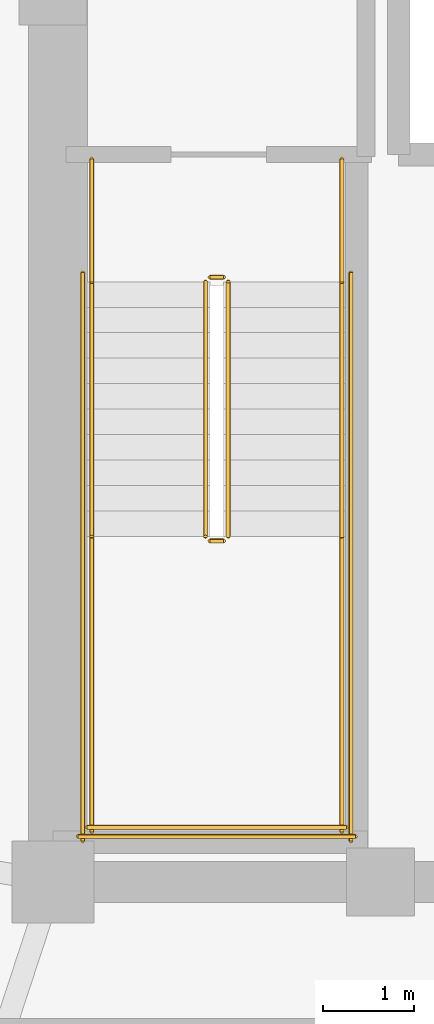
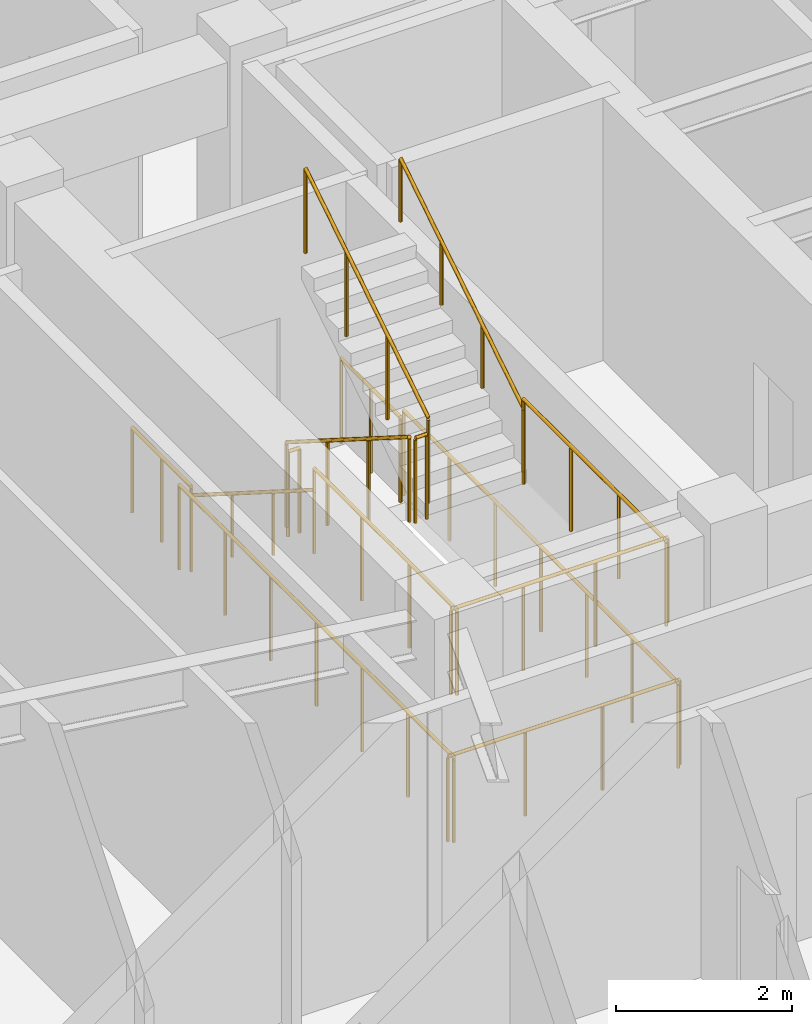
# One storey, part 10 of 11: 14 railings.
"""IFC4 building model written with IfcOpenShell, lengths in metres."""

from ifc_helpers import new_model, si_unit, direction, frame, origin, origin_2d, place, context, subcontext, project, spatial, circle, extrude, material, type_object, element, save


model = new_model("IFC4")

# Units and contexts
model_context = context("Model", 3, precision=1e-05, world=origin(), true_north=direction((0.0, 1.0)))
body_context = subcontext(model_context, "Body", "Model", "MODEL_VIEW")
ifc_project = project(units=[si_unit("LENGTHUNIT", "METRE"), si_unit("AREAUNIT", "SQUARE_METRE"), si_unit("VOLUMEUNIT", "CUBIC_METRE"), si_unit("PLANEANGLEUNIT", "RADIAN"), si_unit("MASSUNIT", "GRAM", prefix="KILO")], contexts=[model_context])

# Site, building, storey
site_placement = place(None, origin())
site = spatial("IfcSite", under=ifc_project, at=site_placement, CompositionType="ELEMENT")
building_placement = place(site_placement, origin())
building = spatial("IfcBuilding", under=site, at=building_placement, Name="Voryun Gate Residences", CompositionType="ELEMENT")
storey_placement = place(building_placement, frame((0.0, 0.0, 247.0)))
storey = spatial("IfcBuildingStorey", under=building, at=storey_placement, Name="L61", CompositionType="ELEMENT", Elevation=247.0)

# Railings
ifc_material_1 = material(Name="Painted steel", Category="steel")
railing_type_1 = type_object("IfcRailingType", Name="RAIL_STAIR_GUARD_1200", PredefinedType="GUARDRAIL", material=ifc_material_1)
railing_1_placement = place(storey_placement, frame((-17.52490234375, -0.800048828125, 0.17724609375)))
element("IfcRailing", 1, at=railing_1_placement, inside=storey, type_object=railing_type_1, Name="L61 ST-W1 stair guard 1", PredefinedType="GUARDRAIL", context=body_context, shape_type="SweptSolid", body=[
    extrude(circle(Radius=0.02392578125, at=origin_2d()), frame((0.0, 0.0, 1.17578125), z_axis=(0.0, -0.844908973607, 0.534910110503), x_axis=(1.0, 0.0, 0.0)), (0.0, 0.0, 1.0), 3.31396484375),
    extrude(circle(Radius=0.02099609375, at=origin_2d()), origin(), (0.0, 0.0, 1.0), 1.15185546875),
    extrude(circle(Radius=0.02099609375, at=origin_2d()), frame((0.0, -0.933349609375, 0.5908203125)), (0.0, 0.0, 1.0), 1.15185546875),
    extrude(circle(Radius=0.02099609375, at=origin_2d()), frame((0.0, -1.86669921875, 1.181884765625)), (0.0, 0.0, 1.0), 1.15185546875),
    extrude(circle(Radius=0.02099609375, at=origin_2d()), frame((0.0, -2.800048828125, 1.772705078125)), (0.0, 0.0, 1.0), 1.15185546875),
])
railing_2_placement = place(storey_placement, frame((-17.47509765625, -3.64990234375, 1.949951171875)))
element("IfcRailing", 2, at=railing_2_placement, inside=storey, type_object=railing_type_1, Name="L61 ST-W1 stair guard 2", PredefinedType="GUARDRAIL", context=body_context, shape_type="SweptSolid", body=[
    extrude(circle(Radius=0.02392578125, at=origin_2d()), frame((0.0, 0.0, 1.17578125), z_axis=(1.0, 0.0, 0.0), x_axis=(0.0, 1.0, 0.0)), (0.0, 0.0, 1.0), 0.150146484375),
    extrude(circle(Radius=0.02099609375, at=origin_2d()), origin(), (0.0, 0.0, 1.0), 1.15185546875),
    extrude(circle(Radius=0.02099609375, at=origin_2d()), frame((0.150146484375, 0.0, 0.0)), (0.0, 0.0, 1.0), 1.15185546875),
])
for number, where, name in (
    (3, (-18.77490234375, -3.60009765625, 1.949951171875), "L61 ST-W1 stair guard 3"),
    (4, (-16.02490234375, -3.60009765625, 1.949951171875), "L61 ST-W1 stair guard 4"),
):
    element("IfcRailing", number, at=place(storey_placement, frame(where)), inside=storey, type_object=railing_type_1, Name=name, PredefinedType="GUARDRAIL", context=body_context, shape_type="SweptSolid", body=[
        extrude(circle(Radius=0.02392578125, at=origin_2d()), frame((0.0, 0.0, 1.17578125), z_axis=(0.0, -1.0, 0.0), x_axis=(1.0, 0.0, 0.0)), (0.0, 0.0, 1.0), 3.25),
        extrude(circle(Radius=0.02099609375, at=origin_2d()), origin(), (0.0, 0.0, 1.0), 1.15185546875),
        extrude(circle(Radius=0.02099609375, at=origin_2d()), frame((0.0, -1.083251953125, 0.0)), (0.0, 0.0, 1.0), 1.15185546875),
        extrude(circle(Radius=0.02099609375, at=origin_2d()), frame((0.0, -2.166748046875, 0.0)), (0.0, 0.0, 1.0), 1.15185546875),
        extrude(circle(Radius=0.02099609375, at=origin_2d()), frame((0.0, -3.25, 0.0)), (0.0, 0.0, 1.0), 1.15185546875),
    ])
railing_3_placement = place(storey_placement, frame((-18.824951171875, -6.800048828125, 1.949951171875)))
element("IfcRailing", 5, at=railing_3_placement, inside=storey, type_object=railing_type_1, Name="L61 ST-W1 stair guard 5", PredefinedType="GUARDRAIL", context=body_context, shape_type="SweptSolid", body=[
    extrude(circle(Radius=0.02392578125, at=origin_2d()), frame((0.0, 0.0, 1.17578125), z_axis=(1.0, 0.0, 0.0), x_axis=(0.0, 1.0, 0.0)), (0.0, 0.0, 1.0), 2.849853515625),
    extrude(circle(Radius=0.02099609375, at=origin_2d()), origin(), (0.0, 0.0, 1.0), 1.15185546875),
    extrude(circle(Radius=0.02099609375, at=origin_2d()), frame((0.949951171875, 0.0, 0.0)), (0.0, 0.0, 1.0), 1.15185546875),
    extrude(circle(Radius=0.02099609375, at=origin_2d()), frame((1.89990234375, 0.0, 0.0)), (0.0, 0.0, 1.0), 1.15185546875),
    extrude(circle(Radius=0.02099609375, at=origin_2d()), frame((2.849853515625, 0.0, 0.0)), (0.0, 0.0, 1.0), 1.15185546875),
])
railing_4_placement = place(storey_placement, frame((-17.27490234375, -3.60009765625, 2.127197265625)))
element("IfcRailing", 6, at=railing_4_placement, inside=storey, type_object=railing_type_1, Name="L61 ST-W1 stair guard 6", PredefinedType="GUARDRAIL", context=body_context, shape_type="SweptSolid", body=[
    extrude(circle(Radius=0.02392578125, at=origin_2d()), frame((0.0, 0.0, 1.17578125), z_axis=(0.0, 0.844908973607, 0.534910110503), x_axis=(-1.0, 0.0, 0.0)), (0.0, 0.0, 1.0), 3.31396484375),
    extrude(circle(Radius=0.02099609375, at=origin_2d()), origin(), (0.0, 0.0, 1.0), 1.15185546875),
    extrude(circle(Radius=0.02099609375, at=origin_2d()), frame((0.0, 0.933349609375, 0.5908203125)), (0.0, 0.0, 1.0), 1.15185546875),
    extrude(circle(Radius=0.02099609375, at=origin_2d()), frame((0.0, 1.86669921875, 1.181884765625)), (0.0, 0.0, 1.0), 1.15185546875),
    extrude(circle(Radius=0.02099609375, at=origin_2d()), frame((0.0, 2.800048828125, 1.772705078125)), (0.0, 0.0, 1.0), 1.15185546875),
])
railing_5_placement = place(storey_placement, frame((-17.47509765625, -0.75, 0.0)))
element("IfcRailing", 7, at=railing_5_placement, inside=storey, type_object=railing_type_1, Name="L61 ST-W1 stair guard 7", PredefinedType="GUARDRAIL", context=body_context, shape_type="SweptSolid", body=[
    extrude(circle(Radius=0.02392578125, at=origin_2d()), frame((0.0, 0.0, 1.17578125), z_axis=(1.0, 0.0, 0.0), x_axis=(0.0, 1.0, 0.0)), (0.0, 0.0, 1.0), 0.150146484375),
    extrude(circle(Radius=0.02099609375, at=origin_2d()), origin(), (0.0, 0.0, 1.0), 1.15185546875),
    extrude(circle(Radius=0.02099609375, at=origin_2d()), frame((0.150146484375, 0.0, 0.0)), (0.0, 0.0, 1.0), 1.15185546875),
])
for number, where, name in (
    (8, (-18.77490234375, 0.550048828125, 0.0), "L61 ST-W1 stair guard 8"),
    (9, (-16.02490234375, 0.550048828125, 0.0), "L61 ST-W1 stair guard 9"),
):
    element("IfcRailing", number, at=place(storey_placement, frame(where)), inside=storey, type_object=railing_type_1, Name=name, PredefinedType="GUARDRAIL", context=body_context, shape_type="SweptSolid", body=[
        extrude(circle(Radius=0.02392578125, at=origin_2d()), frame((0.0, 0.0, 1.17578125), z_axis=(0.0, -1.0, 0.0), x_axis=(1.0, 0.0, 0.0)), (0.0, 0.0, 1.0), 1.35009765625),
        extrude(circle(Radius=0.02099609375, at=origin_2d()), origin(), (0.0, 0.0, 1.0), 1.15185546875),
        extrude(circle(Radius=0.02099609375, at=origin_2d()), frame((0.0, -0.675048828125, 0.0)), (0.0, 0.0, 1.0), 1.15185546875),
        extrude(circle(Radius=0.02099609375, at=origin_2d()), frame((0.0, -1.35009765625, 0.0)), (0.0, 0.0, 1.0), 1.15185546875),
    ])
for number, where, name in (
    (10, (-18.875, -0.699951171875, 0.0), "L61 ST-W1 stair guard 10"),
    (11, (-15.925048828125, -0.699951171875, 0.0), "L61 ST-W1 stair guard 11"),
):
    element("IfcRailing", number, at=place(storey_placement, frame(where)), inside=storey, type_object=railing_type_1, Name=name, PredefinedType="GUARDRAIL", context=body_context, shape_type="SweptSolid", body=[
        extrude(circle(Radius=0.02392578125, at=origin_2d()), frame((0.0, 0.0, 1.17578125), z_axis=(0.0, -1.0, 0.0), x_axis=(1.0, 0.0, 0.0)), (0.0, 0.0, 1.0), 6.25),
        extrude(circle(Radius=0.02099609375, at=origin_2d()), origin(), (0.0, 0.0, 1.0), 1.15185546875),
        extrude(circle(Radius=0.02099609375, at=origin_2d()), frame((0.0, -1.041748046875, 0.0)), (0.0, 0.0, 1.0), 1.15185546875),
        extrude(circle(Radius=0.02099609375, at=origin_2d()), frame((0.0, -2.083251953125, 0.0)), (0.0, 0.0, 1.0), 1.15185546875),
        extrude(circle(Radius=0.02099609375, at=origin_2d()), frame((0.0, -3.125, 0.0)), (0.0, 0.0, 1.0), 1.15185546875),
        extrude(circle(Radius=0.02099609375, at=origin_2d()), frame((0.0, -4.166748046875, 0.0)), (0.0, 0.0, 1.0), 1.15185546875),
        extrude(circle(Radius=0.02099609375, at=origin_2d()), frame((0.0, -5.208251953125, 0.0)), (0.0, 0.0, 1.0), 1.15185546875),
        extrude(circle(Radius=0.02099609375, at=origin_2d()), frame((0.0, -6.25, 0.0)), (0.0, 0.0, 1.0), 1.15185546875),
    ])
railing_6_placement = place(storey_placement, frame((-18.925048828125, -6.89990234375, 0.0)))
element("IfcRailing", 12, at=railing_6_placement, inside=storey, type_object=railing_type_1, Name="L61 ST-W1 stair guard 12", PredefinedType="GUARDRAIL", context=body_context, shape_type="SweptSolid", body=[
    extrude(circle(Radius=0.02392578125, at=origin_2d()), frame((0.0, 0.0, 1.17578125), z_axis=(1.0, 0.0, 0.0), x_axis=(0.0, 1.0, 0.0)), (0.0, 0.0, 1.0), 3.050048828125),
    extrude(circle(Radius=0.02099609375, at=origin_2d()), origin(), (0.0, 0.0, 1.0), 1.15185546875),
    extrude(circle(Radius=0.02099609375, at=origin_2d()), frame((1.0166015625, 0.0, 0.0)), (0.0, 0.0, 1.0), 1.15185546875),
    extrude(circle(Radius=0.02099609375, at=origin_2d()), frame((2.033447265625, 0.0, 0.0)), (0.0, 0.0, 1.0), 1.15185546875),
    extrude(circle(Radius=0.02099609375, at=origin_2d()), frame((3.050048828125, 0.0, 0.0)), (0.0, 0.0, 1.0), 1.15185546875),
])
ifc_material_2 = material(Name="Painted steel", Category="steel")
railing_type_2 = type_object("IfcRailingType", Name="RAIL_STAIR_HANDRAIL_900", PredefinedType="HANDRAIL", material=ifc_material_2)
railing_7_placement = place(storey_placement, frame((-18.77490234375, -0.800048828125, 0.17724609375)))
element("IfcRailing", 13, at=railing_7_placement, inside=storey, type_object=railing_type_2, Name="L61 ST-W1 stair handrail 1", PredefinedType="HANDRAIL", context=body_context, shape_type="SweptSolid", body=[
    extrude(circle(Radius=0.02392578125, at=origin_2d()), frame((0.0, 0.0, 0.8759765625), z_axis=(0.0, -0.844908973607, 0.534910110503), x_axis=(1.0, 0.0, 0.0)), (0.0, 0.0, 1.0), 3.31396484375),
    extrude(circle(Radius=0.02099609375, at=origin_2d()), origin(), (0.0, 0.0, 1.0), 0.851806640625),
    extrude(circle(Radius=0.02099609375, at=origin_2d()), frame((0.0, -0.933349609375, 0.5908203125)), (0.0, 0.0, 1.0), 0.851806640625),
    extrude(circle(Radius=0.02099609375, at=origin_2d()), frame((0.0, -1.86669921875, 1.181884765625)), (0.0, 0.0, 1.0), 0.851806640625),
    extrude(circle(Radius=0.02099609375, at=origin_2d()), frame((0.0, -2.800048828125, 1.772705078125)), (0.0, 0.0, 1.0), 0.851806640625),
])
railing_8_placement = place(storey_placement, frame((-16.02490234375, -3.60009765625, 2.127197265625)))
element("IfcRailing", 14, at=railing_8_placement, inside=storey, type_object=railing_type_2, Name="L61 ST-W1 stair handrail 2", PredefinedType="HANDRAIL", context=body_context, shape_type="SweptSolid", body=[
    extrude(circle(Radius=0.02392578125, at=origin_2d()), frame((0.0, 0.0, 0.8759765625), z_axis=(0.0, 0.844908973607, 0.534910110503), x_axis=(-1.0, 0.0, 0.0)), (0.0, 0.0, 1.0), 3.31396484375),
    extrude(circle(Radius=0.02099609375, at=origin_2d()), origin(), (0.0, 0.0, 1.0), 0.851806640625),
    extrude(circle(Radius=0.02099609375, at=origin_2d()), frame((0.0, 0.933349609375, 0.5908203125)), (0.0, 0.0, 1.0), 0.851806640625),
    extrude(circle(Radius=0.02099609375, at=origin_2d()), frame((0.0, 1.86669921875, 1.181884765625)), (0.0, 0.0, 1.0), 0.851806640625),
    extrude(circle(Radius=0.02099609375, at=origin_2d()), frame((0.0, 2.800048828125, 1.772705078125)), (0.0, 0.0, 1.0), 0.851806640625),
])

save(model, "model.ifc")
